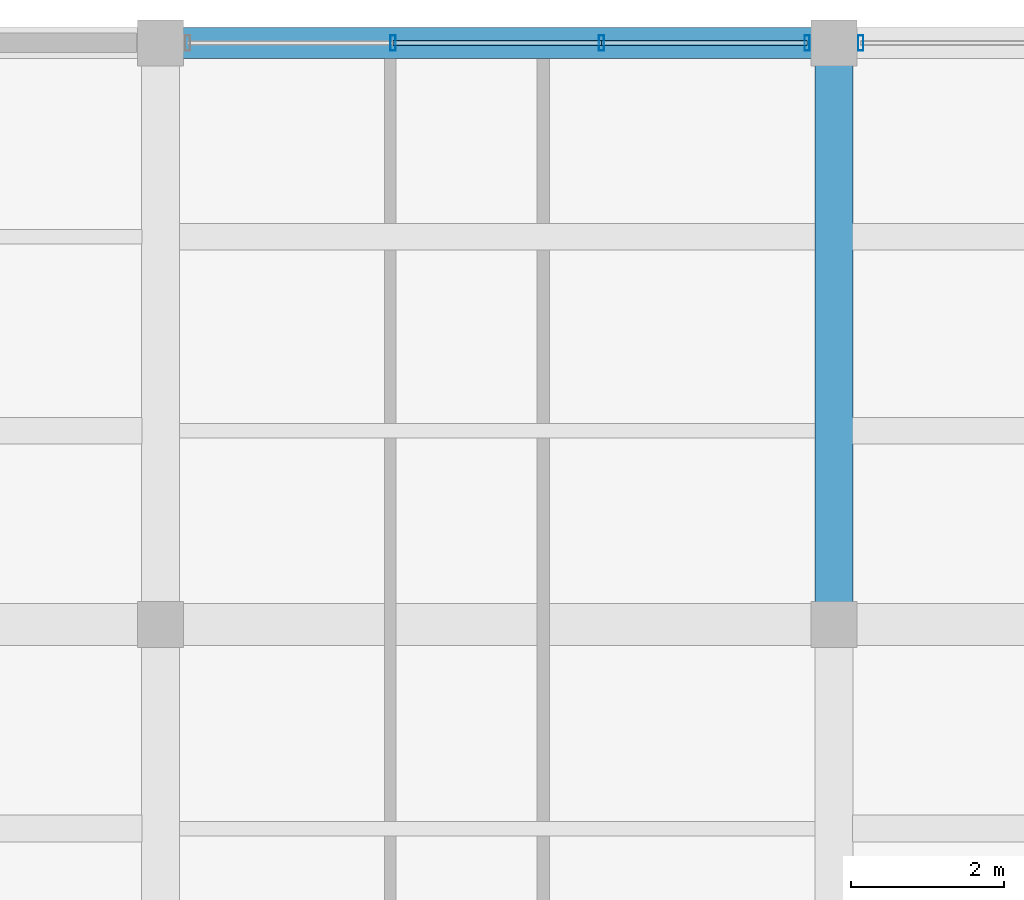
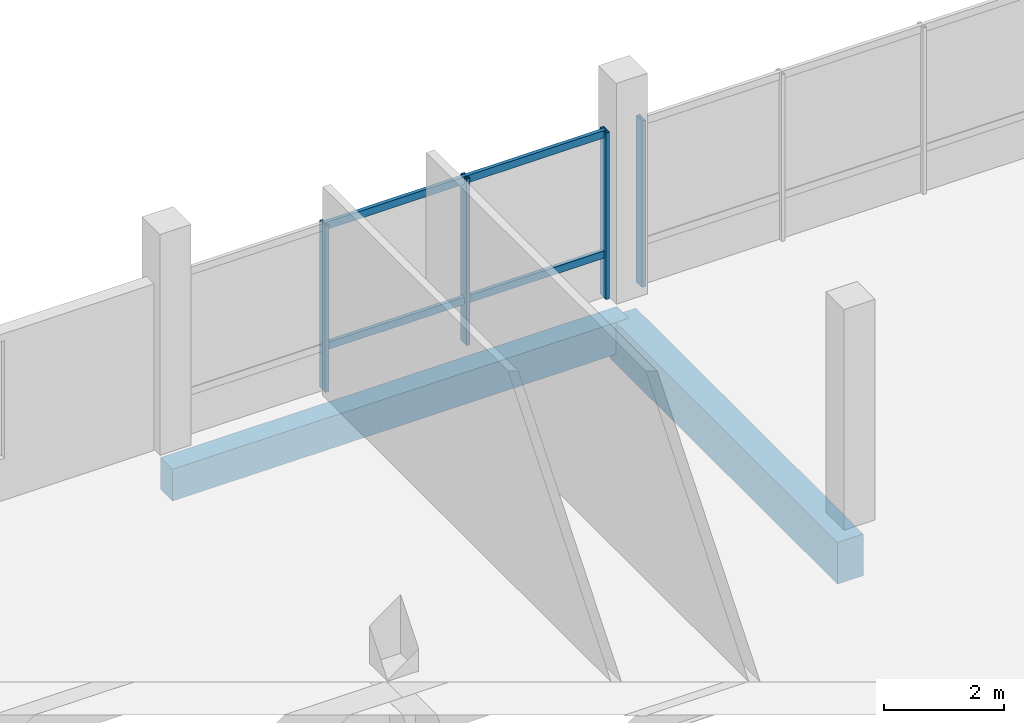
# One storey, part 56 of 77: 8 members, 2 beams, 2 elements without a shape of their own.
"""IFC4 building model written with IfcOpenShell, lengths in metres."""

from ifc_helpers import new_model, si_unit, direction, frame, origin, origin_2d, place, context, subcontext, project, spatial, rectangle, hollow_rectangle, extrude, material, layer, layer_set, material_profile, profile_set, type_object, element, aggregate, save


model = new_model("IFC4")

# Units and contexts
model_context = context("Model", 3, precision=1e-05, world=origin(), true_north=direction((0.0, 1.0)))
body_context = subcontext(model_context, "Body", "Model", "MODEL_VIEW")
ifc_project = project(units=[si_unit("LENGTHUNIT", "METRE"), si_unit("AREAUNIT", "SQUARE_METRE"), si_unit("VOLUMEUNIT", "CUBIC_METRE"), si_unit("PLANEANGLEUNIT", "RADIAN"), si_unit("MASSUNIT", "GRAM", prefix="KILO")], contexts=[model_context])

# Site, building, storey
site_placement = place(None, origin())
site = spatial("IfcSite", under=ifc_project, at=site_placement, CompositionType="ELEMENT")
building_placement = place(site_placement, origin())
building = spatial("IfcBuilding", under=site, at=building_placement, Name="Meriwether Solvik Hall", CompositionType="ELEMENT")
storey_placement = place(building_placement, frame((0.0, 0.0, 9.89990234375)))
storey = spatial("IfcBuildingStorey", under=building, at=storey_placement, Name="L02", CompositionType="ELEMENT", Elevation=9.89990234375)

# Beams
ifc_material_1 = material(Name="Concrete C40/50", Category="concrete")
ifc_material_profile_1 = material_profile(ifc_material_1, rectangle(XDim=0.39990234375, YDim=0.64990234375, at=origin_2d()), Name="RCB-400X650")
ifc_profile_set_1 = profile_set([ifc_material_profile_1], Name="Concrete C40/50")
beam_type_1 = type_object("IfcBeamType", Name="BM-RC-400X650", PredefinedType="SPANDREL", material=ifc_profile_set_1)
beam_1_placement = place(storey_placement, frame((131.800048828125, 116.800048828125, -0.77490234375), z_axis=(1.0, 0.0, 0.0), x_axis=(0.0, 1.0, 0.0)))
element("IfcBeam", 1, at=beam_1_placement, inside=storey, type_object=beam_type_1, Name="Podium Girder N:15-16 (L02)", PredefinedType="SPANDREL", context=body_context, shape_type="SweptSolid", body=[
    extrude(rectangle(XDim=0.39990234375, YDim=0.64990234375, at=origin_2d()), origin(), (0.0, 0.0, 1.0), 8.800048828125),
])
ifc_material_2 = material(Name="Concrete C40/50", Category="concrete")
ifc_material_profile_2 = material_profile(ifc_material_2, rectangle(XDim=0.5, YDim=0.85009765625, at=origin_2d()), Name="RCB-500X850")
ifc_profile_set_2 = profile_set([ifc_material_profile_2], Name="Concrete C40/50")
beam_type_2 = type_object("IfcBeamType", Name="BM-RC-500X850", PredefinedType="BEAM", material=ifc_profile_set_2)
beam_2_placement = place(storey_placement, frame((140.60009765625, 109.199951171875, -0.875), z_axis=(0.0, 1.0, 0.0), x_axis=(-1.0, 0.0, 0.0)))
element("IfcBeam", 2, at=beam_2_placement, inside=storey, type_object=beam_type_2, Name="Podium Girder 16:M-N (L02)", PredefinedType="BEAM", context=body_context, shape_type="SweptSolid", body=[
    extrude(rectangle(XDim=0.5, YDim=0.85009765625, at=origin_2d()), origin(), (0.0, 0.0, 1.0), 7.60009765625),
])

# Curtain wall, members
ifc_material_3 = material(Name="Thermally Broken Anodised Aluminium 6063-T6 and Low-E Glass", Category="aluminium")
ifc_layer = layer(ifc_material_3, 0.179931640625)
ifc_layer_set = layer_set([ifc_layer], Name="Thermally Broken Anodised Aluminium 6063-T6 and Low-E Glass")
curtain_wall_type = type_object("IfcCurtainWallType", Name="CW-SF-POD-C", PredefinedType="USERDEFINED", material=ifc_layer_set)
curtain_wall_1_placement = place(storey_placement, origin())
curtain_wall_1 = element("IfcCurtainWall", 3, at=curtain_wall_1_placement, inside=storey, type_object=curtain_wall_type, Name="Curtain Wall wing_XN_15_20 (L02)", ObjectType="STICK STOREFRONT GLAZING", PredefinedType="USERDEFINED")
ifc_material_4 = material(Name="Anodised Aluminium 6063-T6", Category="aluminium")
ifc_material_profile_3 = material_profile(ifc_material_4, hollow_rectangle(XDim=0.070068359375, YDim=0.199951171875, WallThickness=0.0048828125, at=origin_2d()), Name="CWM-70X200")
ifc_profile_set_3 = profile_set([ifc_material_profile_3], Name="Anodised Aluminium 6063-T6")
member_type_1 = type_object("IfcMemberType", Name="CW-MUL-70X200", PredefinedType="MULLION", material=ifc_profile_set_3)
member_1_placement = place(storey_placement, frame((134.83740234375, 116.800048828125, 0.0), z_axis=(0.0, 0.0, 1.0), x_axis=(1.0, 0.0, 0.0)))
member_1 = element("IfcMember", 4, at=member_1_placement, type_object=member_type_1, Name="Curtain Wall Mullion 2", PredefinedType="MULLION", context=body_context, shape_type="SweptSolid", body=[
    extrude(hollow_rectangle(XDim=0.070068359375, YDim=0.199951171875, WallThickness=0.0048828125, at=origin_2d()), origin(), (0.0, 0.0, 1.0), 3.39501953125),
])
member_2_placement = place(storey_placement, frame((137.562744140625, 116.800048828125, 0.0), z_axis=(0.0, 0.0, 1.0), x_axis=(1.0, 0.0, 0.0)))
member_2 = element("IfcMember", 5, at=member_2_placement, type_object=member_type_1, Name="Curtain Wall Mullion 3", PredefinedType="MULLION", context=body_context, shape_type="SweptSolid", body=[
    extrude(hollow_rectangle(XDim=0.070068359375, YDim=0.199951171875, WallThickness=0.0048828125, at=origin_2d()), origin(), (0.0, 0.0, 1.0), 3.39501953125),
])
member_3_placement = place(storey_placement, frame((140.25, 116.800048828125, 0.0), z_axis=(0.0, 0.0, 1.0), x_axis=(1.0, 0.0, 0.0)))
member_3 = element("IfcMember", 6, at=member_3_placement, type_object=member_type_1, Name="Curtain Wall Mullion 4", PredefinedType="MULLION", context=body_context, shape_type="SweptSolid", body=[
    extrude(hollow_rectangle(XDim=0.070068359375, YDim=0.199951171875, WallThickness=0.0048828125, at=origin_2d()), origin(), (0.0, 0.0, 1.0), 3.39501953125),
])

# Curtain wall, member
curtain_wall_2_placement = place(storey_placement, origin())
curtain_wall_2 = element("IfcCurtainWall", 7, at=curtain_wall_2_placement, inside=storey, type_object=curtain_wall_type, Name="Curtain Wall wing_XN_16_21 (L02)", ObjectType="STICK STOREFRONT GLAZING", PredefinedType="USERDEFINED")
member_4_placement = place(storey_placement, frame((140.949951171875, 116.800048828125, 0.0), z_axis=(0.0, 0.0, 1.0), x_axis=(1.0, 0.0, 0.0)))
member_4 = element("IfcMember", 8, at=member_4_placement, type_object=member_type_1, Name="Curtain Wall Mullion 1", PredefinedType="MULLION", context=body_context, shape_type="SweptSolid", body=[
    extrude(hollow_rectangle(XDim=0.070068359375, YDim=0.199951171875, WallThickness=0.0048828125, at=origin_2d()), origin(), (0.0, 0.0, 1.0), 3.39501953125),
])
aggregate(curtain_wall_2, [member_4])

# Member
ifc_material_5 = material(Name="Anodised Aluminium 6063-T6", Category="aluminium")
ifc_material_profile_4 = material_profile(ifc_material_5, hollow_rectangle(XDim=0.070068359375, YDim=0.14990234375, WallThickness=0.0048828125, at=origin_2d()), Name="CWT-70X150")
ifc_profile_set_4 = profile_set([ifc_material_profile_4], Name="Anodised Aluminium 6063-T6")
member_type_2 = type_object("IfcMemberType", Name="CW-TRN-70X150", PredefinedType="USERDEFINED", material=ifc_profile_set_4)
member_5_placement = place(storey_placement, frame((134.83740234375, 116.800048828125, 0.880126953125), z_axis=(1.0, 0.0, 0.0), x_axis=(0.0, 1.0, 0.0)))
member_5 = element("IfcMember", 9, at=member_5_placement, type_object=member_type_2, Name="Curtain Wall Transom 2-sill", ObjectType="TRANSOM", PredefinedType="USERDEFINED", context=body_context, shape_type="SweptSolid", body=[
    extrude(hollow_rectangle(XDim=0.070068359375, YDim=0.14990234375, WallThickness=0.0048828125, at=origin_2d()), origin(), (0.0, 0.0, 1.0), 2.725341796875),
])

member_6_placement = place(storey_placement, frame((134.83740234375, 116.800048828125, 3.335205078125), z_axis=(1.0, 0.0, 0.0), x_axis=(0.0, 1.0, 0.0)))
member_6 = element("IfcMember", 10, at=member_6_placement, type_object=member_type_2, Name="Curtain Wall Transom 2-head", ObjectType="TRANSOM", PredefinedType="USERDEFINED", context=body_context, shape_type="SweptSolid", body=[
    extrude(hollow_rectangle(XDim=0.070068359375, YDim=0.14990234375, WallThickness=0.0048828125, at=origin_2d()), origin(), (0.0, 0.0, 1.0), 2.725341796875),
])

member_7_placement = place(storey_placement, frame((137.562744140625, 116.800048828125, 0.880126953125), z_axis=(1.0, 0.0, 0.0), x_axis=(0.0, 1.0, 0.0)))
member_7 = element("IfcMember", 11, at=member_7_placement, type_object=member_type_2, Name="Curtain Wall Transom 3-sill", ObjectType="TRANSOM", PredefinedType="USERDEFINED", context=body_context, shape_type="SweptSolid", body=[
    extrude(hollow_rectangle(XDim=0.070068359375, YDim=0.14990234375, WallThickness=0.0048828125, at=origin_2d()), origin(), (0.0, 0.0, 1.0), 2.687255859375),
])

member_8_placement = place(storey_placement, frame((137.562744140625, 116.800048828125, 3.335205078125), z_axis=(1.0, 0.0, 0.0), x_axis=(0.0, 1.0, 0.0)))
member_8 = element("IfcMember", 12, at=member_8_placement, type_object=member_type_2, Name="Curtain Wall Transom 3-head", ObjectType="TRANSOM", PredefinedType="USERDEFINED", context=body_context, shape_type="SweptSolid", body=[
    extrude(hollow_rectangle(XDim=0.070068359375, YDim=0.14990234375, WallThickness=0.0048828125, at=origin_2d()), origin(), (0.0, 0.0, 1.0), 2.687255859375),
])

aggregate(curtain_wall_1, [member_1, member_2, member_3, member_5, member_6, member_7, member_8])

save(model, "model.ifc")
